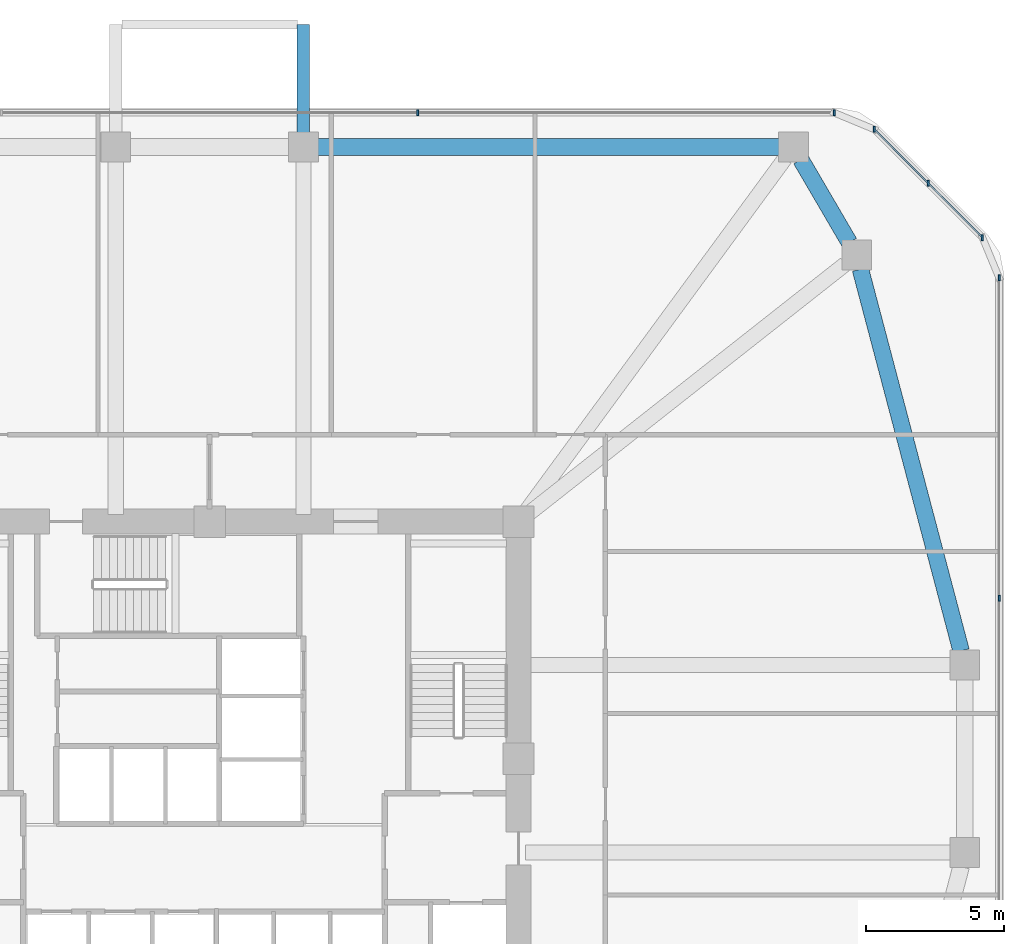
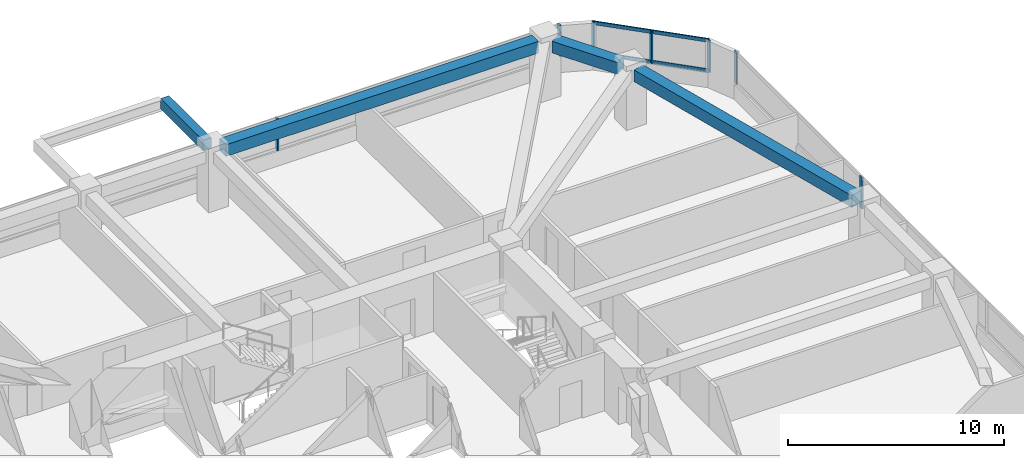
# One storey, part 7 of 13: 9 members, 4 beams, 3 elements without a shape of their own.
"""IFC4 building model written with IfcOpenShell, lengths in metres."""

from ifc_helpers import new_model, si_unit, derived_unit, direction, frame, origin, origin_2d, place, context, subcontext, project, spatial, rectangle, extrude, material, material_profile, profile_set, type_object, element, aggregate, save


model = new_model("IFC4")

# Units and contexts
model_context = context("Model", 3, precision=1e-05, world=origin(), true_north=direction((0.0, 1.0)))
body_context = subcontext(model_context, "Body", "Model", "MODEL_VIEW")
ifc_project = project(units=[si_unit("LENGTHUNIT", "METRE"), si_unit("AREAUNIT", "SQUARE_METRE"), si_unit("VOLUMEUNIT", "CUBIC_METRE"), si_unit("PLANEANGLEUNIT", "RADIAN"), si_unit("MASSUNIT", "GRAM", prefix="KILO"), derived_unit("THERMALTRANSMITTANCEUNIT", [(si_unit("POWERUNIT", "WATT"), 1), (si_unit("LENGTHUNIT", "METRE"), -2), (si_unit("THERMODYNAMICTEMPERATUREUNIT", "KELVIN"), -1)])], contexts=[model_context])

# Site, building, storey
site_placement = place(None, origin())
site = spatial("IfcSite", under=ifc_project, at=site_placement, CompositionType="ELEMENT")
building_placement = place(site_placement, origin())
building = spatial("IfcBuilding", under=site, at=building_placement, Name="Koralith Skygarden Medical Center", CompositionType="ELEMENT")
storey_placement = place(building_placement, frame((0.0, 0.0, 63.5400390625)))
storey = spatial("IfcBuildingStorey", under=building, at=storey_placement, Name="L16", CompositionType="ELEMENT", Elevation=63.5400390625)

# Curtain wall, members
ifc_material_1 = material(Name="Clear Laminated Glass", Category="glass")
curtain_wall_type = type_object("IfcCurtainWallType", Name="CW-2 Zone 1 Hurricane Unitised Curtain Wall", PredefinedType="NOTDEFINED", material=ifc_material_1)
curtain_wall_1_placement = place(storey_placement, origin())
curtain_wall_1 = element("IfcCurtainWall", 1, at=curtain_wall_1_placement, inside=storey, type_object=curtain_wall_type, Name="Curtain Wall CW-L16-E", PredefinedType="NOTDEFINED")
ifc_material_2 = material(Name="Aluminium 6063-T6", Category="aluminium")
ifc_material_profile_1 = material_profile(ifc_material_2, rectangle(XDim=0.071044921875, YDim=0.219970703125, at=origin_2d()), Name="MUL71X220")
ifc_profile_set_1 = profile_set([ifc_material_profile_1], Name="Aluminium 6063-T6")
member_type_1 = type_object("IfcMemberType", Name="CW-2 Extruded Mullion 71x220", PredefinedType="MULLION", material=ifc_profile_set_1)
member_1_placement = place(storey_placement, frame((65.6201171875, 31.715087890625, 0.849853515625), z_axis=(0.0, 0.0, 1.0), x_axis=(1.0, 0.0, 0.0)))
member_1 = element("IfcMember", 2, at=member_1_placement, type_object=member_type_1, Name="CW-L16-E Mullion 3", PredefinedType="MULLION", context=body_context, shape_type="SweptSolid", body=[
    extrude(rectangle(XDim=0.071044921875, YDim=0.219970703125, at=origin_2d()), origin(), (0.0, 0.0, 1.0), 1.800048828125),
])
member_2_placement = place(storey_placement, frame((65.6201171875, 43.344970703125, 0.849853515625), z_axis=(0.0, 0.0, 1.0), x_axis=(1.0, 0.0, 0.0)))
member_2 = element("IfcMember", 3, at=member_2_placement, type_object=member_type_1, Name="CW-L16-E Mullion 4", PredefinedType="MULLION", context=body_context, shape_type="SweptSolid", body=[
    extrude(rectangle(XDim=0.071044921875, YDim=0.219970703125, at=origin_2d()), origin(), (0.0, 0.0, 1.0), 1.800048828125),
])
aggregate(curtain_wall_1, [member_1, member_2])

curtain_wall_2_placement = place(storey_placement, origin())
curtain_wall_2 = element("IfcCurtainWall", 4, at=curtain_wall_2_placement, inside=storey, type_object=curtain_wall_type, Name="Curtain Wall CW-L16-NE", PredefinedType="NOTDEFINED")
member_3_placement = place(storey_placement, frame((65.01904296875, 44.7958984375, 0.849853515625), z_axis=(0.0, 0.0, 1.0), x_axis=(1.0, 0.0, 0.0)))
member_3 = element("IfcMember", 5, at=member_3_placement, type_object=member_type_1, Name="CW-L16-NE Mullion 1", PredefinedType="MULLION", context=body_context, shape_type="SweptSolid", body=[
    extrude(rectangle(XDim=0.071044921875, YDim=0.219970703125, at=origin_2d()), origin(), (0.0, 0.0, 1.0), 1.800048828125),
])
member_4_placement = place(storey_placement, frame((63.05810546875, 46.758056640625, 0.849853515625), z_axis=(0.0, 0.0, 1.0), x_axis=(1.0, 0.0, 0.0)))
member_4 = element("IfcMember", 6, at=member_4_placement, type_object=member_type_1, Name="CW-L16-NE Mullion 2", PredefinedType="MULLION", context=body_context, shape_type="SweptSolid", body=[
    extrude(rectangle(XDim=0.071044921875, YDim=0.219970703125, at=origin_2d()), origin(), (0.0, 0.0, 1.0), 1.800048828125),
])
member_5_placement = place(storey_placement, frame((61.095947265625, 48.718994140625, 0.849853515625), z_axis=(0.0, 0.0, 1.0), x_axis=(1.0, 0.0, 0.0)))
member_5 = element("IfcMember", 7, at=member_5_placement, type_object=member_type_1, Name="CW-L16-NE Mullion 3", PredefinedType="MULLION", context=body_context, shape_type="SweptSolid", body=[
    extrude(rectangle(XDim=0.071044921875, YDim=0.219970703125, at=origin_2d()), origin(), (0.0, 0.0, 1.0), 1.800048828125),
])

curtain_wall_3_placement = place(storey_placement, origin())
curtain_wall_3 = element("IfcCurtainWall", 8, at=curtain_wall_3_placement, inside=storey, type_object=curtain_wall_type, Name="Curtain Wall CW-L16-N", PredefinedType="NOTDEFINED")
member_6_placement = place(storey_placement, frame((59.64501953125, 49.320068359375, 0.849853515625), z_axis=(0.0, 0.0, 1.0), x_axis=(1.0, 0.0, 0.0)))
member_6 = element("IfcMember", 9, at=member_6_placement, type_object=member_type_1, Name="CW-L16-N Mullion 1", PredefinedType="MULLION", context=body_context, shape_type="SweptSolid", body=[
    extrude(rectangle(XDim=0.071044921875, YDim=0.219970703125, at=origin_2d()), origin(), (0.0, 0.0, 1.0), 1.800048828125),
])
member_7_placement = place(storey_placement, frame((44.548095703125, 49.320068359375, 0.849853515625), z_axis=(0.0, 0.0, 1.0), x_axis=(1.0, 0.0, 0.0)))
member_7 = element("IfcMember", 10, at=member_7_placement, type_object=member_type_1, Name="CW-L16-N Mullion 2", PredefinedType="MULLION", context=body_context, shape_type="SweptSolid", body=[
    extrude(rectangle(XDim=0.071044921875, YDim=0.219970703125, at=origin_2d()), origin(), (0.0, 0.0, 1.0), 1.800048828125),
])
aggregate(curtain_wall_3, [member_6, member_7])

# Member
ifc_material_profile_2 = material_profile(ifc_material_2, rectangle(XDim=0.06591796875, YDim=0.197998046875, at=origin_2d()), Name="TRN66X198")
ifc_profile_set_2 = profile_set([ifc_material_profile_2], Name="Aluminium 6063-T6")
member_type_2 = type_object("IfcMemberType", Name="CW-2 Thermal Transom 66x198", PredefinedType="USERDEFINED", material=ifc_profile_set_2)
member_8_placement = place(storey_placement, frame((65.01904296875, 44.7958984375, 0.89990234375), z_axis=(-0.707106781187, 0.707106781187, 0.0), x_axis=(-0.707106781187, -0.707106781187, 0.0)))
member_8 = element("IfcMember", 11, at=member_8_placement, type_object=member_type_2, Name="CW-L16-NE Transom 1", ObjectType="TRANSOM", PredefinedType="USERDEFINED", context=body_context, shape_type="SweptSolid", body=[
    extrude(rectangle(XDim=0.06591796875, YDim=0.197998046875, at=origin_2d()), origin(), (0.0, 0.0, 1.0), 5.548095703125),
])

member_9_placement = place(storey_placement, frame((65.01904296875, 44.7958984375, 2.599853515625), z_axis=(-0.707106781187, 0.707106781187, 0.0), x_axis=(-0.707106781187, -0.707106781187, 0.0)))
member_9 = element("IfcMember", 12, at=member_9_placement, type_object=member_type_2, Name="CW-L16-NE Transom 2", ObjectType="TRANSOM", PredefinedType="USERDEFINED", context=body_context, shape_type="SweptSolid", body=[
    extrude(rectangle(XDim=0.06591796875, YDim=0.197998046875, at=origin_2d()), origin(), (0.0, 0.0, 1.0), 5.548095703125),
])

aggregate(curtain_wall_2, [member_3, member_4, member_5, member_8, member_9])

# Beams
ifc_material_3 = material(Name="Concrete C45/55", Category="concrete")
ifc_material_profile_3 = material_profile(ifc_material_3, rectangle(XDim=0.449951171875, YDim=0.60009765625, at=origin_2d()), Name="RCB450X600")
ifc_profile_set_3 = profile_set([ifc_material_profile_3], Name="Concrete C45/55")
beam_type_1 = type_object("IfcBeamType", Name="Planted Balcony Cantilever Beam RCB450X600", PredefinedType="BEAM", material=ifc_profile_set_3)
beam_1_placement = place(storey_placement, frame((40.39990234375, 48.60009765625, 3.0400390625), z_axis=(0.0, 1.0, 0.0), x_axis=(-1.0, 0.0, 0.0)))
element("IfcBeam", 13, at=beam_1_placement, inside=storey, type_object=beam_type_1, Name="L17 N Balcony Cantilever Beam B", PredefinedType="BEAM", context=body_context, shape_type="SweptSolid", body=[
    extrude(rectangle(XDim=0.449951171875, YDim=0.60009765625, at=origin_2d()), origin(), (0.0, 0.0, 1.0), 3.919921875),
])
ifc_material_profile_4 = material_profile(ifc_material_3, rectangle(XDim=0.60009765625, YDim=0.659912109375, at=origin_2d()), Name="RCB600X660")
ifc_profile_set_4 = profile_set([ifc_material_profile_4], Name="Concrete C45/55")
beam_type_2 = type_object("IfcBeamType", Name="Zone 1 Spandrel Beam RCB600X660", PredefinedType="SPANDREL", material=ifc_profile_set_4)
beam_2_placement = place(storey_placement, frame((64.2451171875, 29.81201171875, 2.989990234375), z_axis=(-0.255088684842, 0.966917660851, 0.0), x_axis=(-0.966917660851, -0.255088684842, 0.0)))
element("IfcBeam", 14, at=beam_2_placement, inside=storey, type_object=beam_type_2, Name="L16 Perimeter Spandrel Beam SP-09", PredefinedType="SPANDREL", context=body_context, shape_type="SweptSolid", body=[
    extrude(rectangle(XDim=0.60009765625, YDim=0.659912109375, at=origin_2d()), origin(), (0.0, 0.0, 1.0), 14.309326171875),
])
beam_3_placement = place(storey_placement, frame((60.19189453125, 44.617919921875, 2.989990234375), z_axis=(-0.504608092658, 0.863348523381, 0.0), x_axis=(-0.863348523381, -0.504608092658, 0.0)))
element("IfcBeam", 15, at=beam_3_placement, inside=storey, type_object=beam_type_2, Name="L16 Perimeter Spandrel Beam SP-10", PredefinedType="SPANDREL", context=body_context, shape_type="SweptSolid", body=[
    extrude(rectangle(XDim=0.60009765625, YDim=0.659912109375, at=origin_2d()), origin(), (0.0, 0.0, 1.0), 3.479736328125),
])
beam_4_placement = place(storey_placement, frame((57.637939453125, 48.080078125, 2.989990234375), z_axis=(-1.0, 0.0, 0.0), x_axis=(0.0, -1.0, 0.0)))
element("IfcBeam", 16, at=beam_4_placement, inside=storey, type_object=beam_type_2, Name="L16 Perimeter Spandrel Beam SP-11", PredefinedType="SPANDREL", context=body_context, shape_type="SweptSolid", body=[
    extrude(rectangle(XDim=0.60009765625, YDim=0.659912109375, at=origin_2d()), origin(), (0.0, 0.0, 1.0), 16.7080078125),
])

save(model, "model.ifc")
